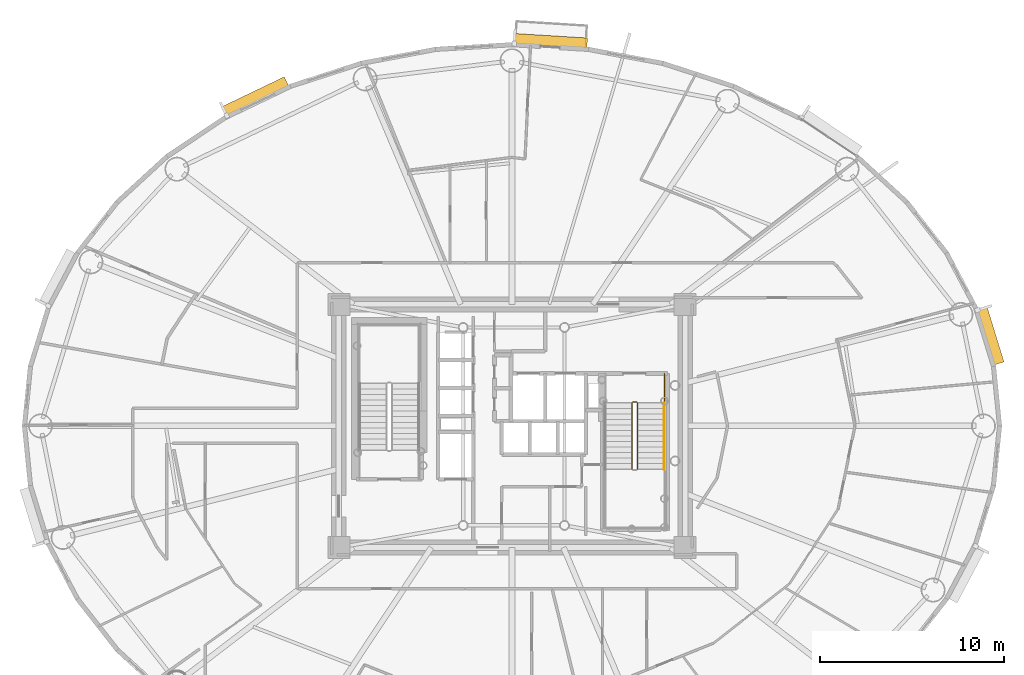
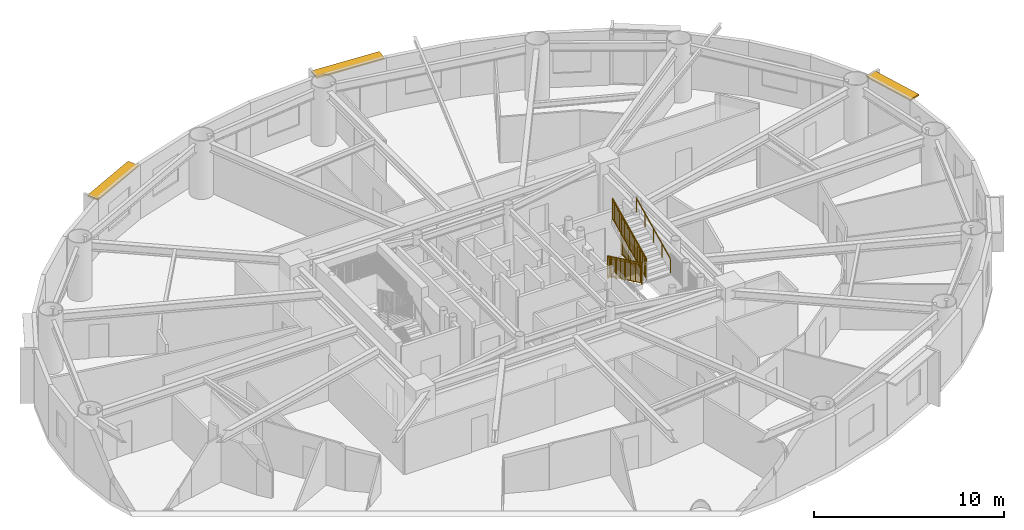
# One storey, part 17 of 18: 5 railings, 3 shading devices.
"""IFC4 building model written with IfcOpenShell, lengths in metres."""

from ifc_helpers import new_model, si_unit, direction, frame, origin, origin_2d, place, context, subcontext, project, spatial, rectangle, extrude, source, transform, mapped, material, layer, layer_set, type_object, element, save


model = new_model("IFC4")

# Units and contexts
model_context = context("Model", 3, precision=1e-05, world=origin(), true_north=direction((0.0, 1.0)))
body_context = subcontext(model_context, "Body", "Model", "MODEL_VIEW")
ifc_project = project(units=[si_unit("LENGTHUNIT", "METRE"), si_unit("AREAUNIT", "SQUARE_METRE"), si_unit("VOLUMEUNIT", "CUBIC_METRE"), si_unit("PLANEANGLEUNIT", "RADIAN"), si_unit("MASSUNIT", "GRAM", prefix="KILO")], contexts=[model_context])

# Site, building, storey
site_placement = place(None, origin())
site = spatial("IfcSite", under=ifc_project, at=site_placement, CompositionType="ELEMENT")
building_placement = place(site_placement, origin())
building = spatial("IfcBuilding", under=site, at=building_placement, Name="Linh Dai School and Residence Tower", CompositionType="ELEMENT")
storey_placement = place(building_placement, frame((0.0, 0.0, 186.14990234375)))
storey = spatial("IfcBuildingStorey", under=building, at=storey_placement, Name="L45", CompositionType="ELEMENT", Elevation=186.14990234375)

# Shading devices
ifc_material_1 = material(Name="Terracotta Ceramic Sunshade", Category="masonry")
ifc_layer = layer(ifc_material_1, 0.10009765625)
ifc_layer_set = layer_set([ifc_layer], Name="Terracotta Ceramic Sunshade")
shading_device_type = type_object("IfcShadingDeviceType", Name="SHD-TC-650", PredefinedType="USERDEFINED", material=ifc_layer_set)
shared_shape_1 = source(origin(), body_context, "Body", "SweptSolid", [
    extrude(rectangle(XDim=3.168212890625, YDim=0.64990234375, at=origin_2d()), origin(), (0.0, 0.0, 1.0), 0.10009765625),
])
shading_device_1_placement = place(storey_placement, frame((61.938720703125, 31.894775390625, 3.380126953125), z_axis=(0.0, 0.0, 1.0), x_axis=(0.293121969301, -0.956075055167, 0.0)))
element("IfcShadingDevice", 1, at=shading_device_1_placement, inside=storey, type_object=shading_device_type, Name="L45 Terracotta Horizontal Sunshade Band 02", ObjectType="SUNSHADE", PredefinedType="USERDEFINED", context=body_context, shape_type="MappedRepresentation", body=[
    mapped(shared_shape_1, transform((0.0, 0.0, 0.0), x_axis=(1.0, 0.0, 0.0), y_axis=(0.0, 1.0, 0.0), z_axis=(0.0, 0.0, 1.0), scale=1.0)),
])
shared_shape_2 = source(origin(), body_context, "Body", "SweptSolid", [
    extrude(rectangle(XDim=3.987548828125, YDim=0.64990234375, at=origin_2d()), origin(), (0.0, 0.0, 1.0), 0.10009765625),
])
shading_device_2_placement = place(storey_placement, frame((38.09033203125, 47.86181640625, 3.380126953125), z_axis=(0.0, 0.0, 1.0), x_axis=(0.99810632076, -0.061512376467, 0.0)))
element("IfcShadingDevice", 2, at=shading_device_2_placement, inside=storey, type_object=shading_device_type, Name="L45 Terracotta Horizontal Sunshade Band 10", ObjectType="SUNSHADE", PredefinedType="USERDEFINED", context=body_context, shape_type="MappedRepresentation", body=[
    mapped(shared_shape_2, transform((0.0, 0.0, 0.0), x_axis=(1.0, 0.0, 0.0), y_axis=(0.0, 1.0, 0.0), z_axis=(0.0, 0.0, 1.0), scale=1.0)),
])
shared_shape_3 = source(origin(), body_context, "Body", "SweptSolid", [
    extrude(rectangle(XDim=3.773193359375, YDim=0.64990234375, at=origin_2d()), origin(), (0.0, 0.0, 1.0), 0.10009765625),
])
shading_device_3_placement = place(storey_placement, frame((22.0751953125, 44.850341796875, 3.380126953125), z_axis=(0.0, 0.0, 1.0), x_axis=(0.901569306779, 0.432634701653, 0.0)))
element("IfcShadingDevice", 3, at=shading_device_3_placement, inside=storey, type_object=shading_device_type, Name="L45 Terracotta Horizontal Sunshade Band 14", ObjectType="SUNSHADE", PredefinedType="USERDEFINED", context=body_context, shape_type="MappedRepresentation", body=[
    mapped(shared_shape_3, transform((0.0, 0.0, 0.0), x_axis=(1.0, 0.0, 0.0), y_axis=(0.0, 1.0, 0.0), z_axis=(0.0, 0.0, 1.0), scale=1.0)),
])

# Railings
ifc_material_2 = material(Name="Structural Steel S355JR", Category="steel")
railing_type_1 = type_object("IfcRailingType", Name="RL-ST-GUARD-1400", PredefinedType="GUARDRAIL", material=ifc_material_2)
shared_shape_4 = source(origin(), body_context, "Body", "SweptSolid", [
    extrude(rectangle(XDim=0.048095703125, YDim=0.048095703125, at=origin_2d()), frame((0.0, 0.0, 1.3759765625), z_axis=(0.0, 0.901262522062, 0.433273431364), x_axis=(-1.0, 0.0, 0.0)), (0.0, 0.0, 1.0), 3.994384765625),
    extrude(rectangle(XDim=0.048095703125, YDim=0.048095703125, at=origin_2d()), frame((0.0, 0.0, 0.10009765625), z_axis=(0.0, 0.901262522062, 0.433273431364), x_axis=(-1.0, 0.0, 0.0)), (0.0, 0.0, 1.0), 3.994384765625),
    extrude(rectangle(XDim=0.030029296875, YDim=0.030029296875, at=origin_2d()), frame((0.0, 0.0, 1.239990234375), z_axis=(0.0, 0.901262522062, 0.433273431364), x_axis=(-1.0, 0.0, 0.0)), (0.0, 0.0, 1.0), 3.994384765625),
    extrude(rectangle(XDim=0.02001953125, YDim=0.02001953125, at=origin_2d()), frame((0.0, 0.087890625, 0.142333984375)), (0.0, 0.0, 1.0), 1.251708984375),
    extrude(rectangle(XDim=0.02001953125, YDim=0.02001953125, at=origin_2d()), frame((0.0, 0.175537109375, 0.1845703125)), (0.0, 0.0, 1.0), 1.251708984375),
    extrude(rectangle(XDim=0.02001953125, YDim=0.02001953125, at=origin_2d()), frame((0.0, 0.263427734375, 0.226806640625)), (0.0, 0.0, 1.0), 1.251708984375),
    extrude(rectangle(XDim=0.02001953125, YDim=0.02001953125, at=origin_2d()), frame((0.0, 0.351318359375, 0.26904296875)), (0.0, 0.0, 1.0), 1.251708984375),
    extrude(rectangle(XDim=0.02001953125, YDim=0.02001953125, at=origin_2d()), frame((0.0, 0.43896484375, 0.311279296875)), (0.0, 0.0, 1.0), 1.251708984375),
    extrude(rectangle(XDim=0.02001953125, YDim=0.02001953125, at=origin_2d()), frame((0.0, 0.52685546875, 0.353271484375)), (0.0, 0.0, 1.0), 1.251708984375),
    extrude(rectangle(XDim=0.02001953125, YDim=0.02001953125, at=origin_2d()), frame((0.0, 0.61474609375, 0.3955078125)), (0.0, 0.0, 1.0), 1.251708984375),
    extrude(rectangle(XDim=0.02001953125, YDim=0.02001953125, at=origin_2d()), frame((0.0, 0.702392578125, 0.437744140625)), (0.0, 0.0, 1.0), 1.251708984375),
    extrude(rectangle(XDim=0.02001953125, YDim=0.02001953125, at=origin_2d()), frame((0.0, 0.790283203125, 0.47998046875)), (0.0, 0.0, 1.0), 1.251708984375),
    extrude(rectangle(XDim=0.02001953125, YDim=0.02001953125, at=origin_2d()), frame((0.0, 0.9658203125, 0.564453125)), (0.0, 0.0, 1.0), 1.251708984375),
    extrude(rectangle(XDim=0.02001953125, YDim=0.02001953125, at=origin_2d()), frame((0.0, 1.0537109375, 0.606689453125)), (0.0, 0.0, 1.0), 1.251708984375),
    extrude(rectangle(XDim=0.02001953125, YDim=0.02001953125, at=origin_2d()), frame((0.0, 1.1416015625, 0.64892578125)), (0.0, 0.0, 1.0), 1.251708984375),
    extrude(rectangle(XDim=0.02001953125, YDim=0.02001953125, at=origin_2d()), frame((0.0, 1.229248046875, 0.691162109375)), (0.0, 0.0, 1.0), 1.251708984375),
    extrude(rectangle(XDim=0.02001953125, YDim=0.02001953125, at=origin_2d()), frame((0.0, 1.317138671875, 0.7333984375)), (0.0, 0.0, 1.0), 1.251708984375),
    extrude(rectangle(XDim=0.02001953125, YDim=0.02001953125, at=origin_2d()), frame((0.0, 1.405029296875, 0.775390625)), (0.0, 0.0, 1.0), 1.251708984375),
    extrude(rectangle(XDim=0.02001953125, YDim=0.02001953125, at=origin_2d()), frame((0.0, 1.49267578125, 0.817626953125)), (0.0, 0.0, 1.0), 1.251708984375),
    extrude(rectangle(XDim=0.02001953125, YDim=0.02001953125, at=origin_2d()), frame((0.0, 1.58056640625, 0.85986328125)), (0.0, 0.0, 1.0), 1.251708984375),
    extrude(rectangle(XDim=0.02001953125, YDim=0.02001953125, at=origin_2d()), frame((0.0, 1.66845703125, 0.902099609375)), (0.0, 0.0, 1.0), 1.251708984375),
    extrude(rectangle(XDim=0.02001953125, YDim=0.02001953125, at=origin_2d()), frame((0.0, 1.756103515625, 0.9443359375)), (0.0, 0.0, 1.0), 1.251708984375),
    extrude(rectangle(XDim=0.02001953125, YDim=0.02001953125, at=origin_2d()), frame((0.0, 1.843994140625, 0.986572265625)), (0.0, 0.0, 1.0), 1.251708984375),
    extrude(rectangle(XDim=0.02001953125, YDim=0.02001953125, at=origin_2d()), frame((0.0, 1.931640625, 1.02880859375)), (0.0, 0.0, 1.0), 1.251708984375),
    extrude(rectangle(XDim=0.02001953125, YDim=0.02001953125, at=origin_2d()), frame((0.0, 2.01953125, 1.071044921875)), (0.0, 0.0, 1.0), 1.251708984375),
    extrude(rectangle(XDim=0.02001953125, YDim=0.02001953125, at=origin_2d()), frame((0.0, 2.107421875, 1.11328125)), (0.0, 0.0, 1.0), 1.251708984375),
    extrude(rectangle(XDim=0.02001953125, YDim=0.02001953125, at=origin_2d()), frame((0.0, 2.195068359375, 1.155517578125)), (0.0, 0.0, 1.0), 1.251708984375),
    extrude(rectangle(XDim=0.02001953125, YDim=0.02001953125, at=origin_2d()), frame((0.0, 2.282958984375, 1.197509765625)), (0.0, 0.0, 1.0), 1.251708984375),
    extrude(rectangle(XDim=0.02001953125, YDim=0.02001953125, at=origin_2d()), frame((0.0, 2.370849609375, 1.23974609375)), (0.0, 0.0, 1.0), 1.251708984375),
    extrude(rectangle(XDim=0.02001953125, YDim=0.02001953125, at=origin_2d()), frame((0.0, 2.45849609375, 1.281982421875)), (0.0, 0.0, 1.0), 1.251708984375),
    extrude(rectangle(XDim=0.02001953125, YDim=0.02001953125, at=origin_2d()), frame((0.0, 2.54638671875, 1.32421875)), (0.0, 0.0, 1.0), 1.251708984375),
    extrude(rectangle(XDim=0.02001953125, YDim=0.02001953125, at=origin_2d()), frame((0.0, 2.63427734375, 1.366455078125)), (0.0, 0.0, 1.0), 1.251708984375),
    extrude(rectangle(XDim=0.02001953125, YDim=0.02001953125, at=origin_2d()), frame((0.0, 2.809814453125, 1.450927734375)), (0.0, 0.0, 1.0), 1.251708984375),
    extrude(rectangle(XDim=0.02001953125, YDim=0.02001953125, at=origin_2d()), frame((0.0, 2.897705078125, 1.4931640625)), (0.0, 0.0, 1.0), 1.251708984375),
    extrude(rectangle(XDim=0.02001953125, YDim=0.02001953125, at=origin_2d()), frame((0.0, 2.9853515625, 1.535400390625)), (0.0, 0.0, 1.0), 1.251708984375),
    extrude(rectangle(XDim=0.02001953125, YDim=0.02001953125, at=origin_2d()), frame((0.0, 3.0732421875, 1.57763671875)), (0.0, 0.0, 1.0), 1.251708984375),
    extrude(rectangle(XDim=0.02001953125, YDim=0.02001953125, at=origin_2d()), frame((0.0, 3.1611328125, 1.61962890625)), (0.0, 0.0, 1.0), 1.251708984375),
    extrude(rectangle(XDim=0.02001953125, YDim=0.02001953125, at=origin_2d()), frame((0.0, 3.248779296875, 1.661865234375)), (0.0, 0.0, 1.0), 1.251708984375),
    extrude(rectangle(XDim=0.02001953125, YDim=0.02001953125, at=origin_2d()), frame((0.0, 3.336669921875, 1.7041015625)), (0.0, 0.0, 1.0), 1.251708984375),
    extrude(rectangle(XDim=0.02001953125, YDim=0.02001953125, at=origin_2d()), frame((0.0, 3.424560546875, 1.746337890625)), (0.0, 0.0, 1.0), 1.251708984375),
    extrude(rectangle(XDim=0.02001953125, YDim=0.02001953125, at=origin_2d()), frame((0.0, 3.51220703125, 1.78857421875)), (0.0, 0.0, 1.0), 1.251708984375),
    extrude(rectangle(XDim=0.0419921875, YDim=0.0419921875, at=origin_2d()), origin(), (0.0, 0.0, 1.0), 1.3759765625),
    extrude(rectangle(XDim=0.0419921875, YDim=0.0419921875, at=origin_2d()), frame((0.0, 0.89990234375, 0.4326171875)), (0.0, 0.0, 1.0), 1.3759765625),
    extrude(rectangle(XDim=0.0419921875, YDim=0.0419921875, at=origin_2d()), frame((0.0, 1.800048828125, 0.865234375)), (0.0, 0.0, 1.0), 1.3759765625),
    extrude(rectangle(XDim=0.0419921875, YDim=0.0419921875, at=origin_2d()), frame((0.0, 2.7001953125, 1.298095703125)), (0.0, 0.0, 1.0), 1.3759765625),
    extrude(rectangle(XDim=0.0419921875, YDim=0.0419921875, at=origin_2d()), frame((0.0, 3.60009765625, 1.730712890625)), (0.0, 0.0, 1.0), 1.3759765625),
])
railing_1_placement = place(storey_placement, frame((42.820068359375, 24.64990234375, 2.019287109375)))
element("IfcRailing", 4, at=railing_1_placement, inside=storey, type_object=railing_type_1, Name="L45 ST2 stair guard 6", PredefinedType="GUARDRAIL", context=body_context, shape_type="MappedRepresentation", body=[
    mapped(shared_shape_4, transform((0.0, 0.0, 0.0), x_axis=(1.0, 0.0, 0.0), y_axis=(0.0, 1.0, 0.0), z_axis=(0.0, 0.0, 1.0), scale=1.0)),
])
shared_shape_5 = source(origin(), body_context, "Body", "SweptSolid", [
    extrude(rectangle(XDim=0.048095703125, YDim=0.048095703125, at=origin_2d()), frame((0.0, 0.0, 1.3759765625), z_axis=(0.0, -0.901262522062, 0.433273431364), x_axis=(1.0, 0.0, 0.0)), (0.0, 0.0, 1.0), 3.994384765625),
    extrude(rectangle(XDim=0.048095703125, YDim=0.048095703125, at=origin_2d()), frame((0.0, 0.0, 0.10009765625), z_axis=(0.0, -0.901262522062, 0.433273431364), x_axis=(1.0, 0.0, 0.0)), (0.0, 0.0, 1.0), 3.994384765625),
    extrude(rectangle(XDim=0.030029296875, YDim=0.030029296875, at=origin_2d()), frame((0.0, 0.0, 1.239990234375), z_axis=(0.0, -0.901262522062, 0.433273431364), x_axis=(1.0, 0.0, 0.0)), (0.0, 0.0, 1.0), 3.994384765625),
    extrude(rectangle(XDim=0.02001953125, YDim=0.02001953125, at=origin_2d()), frame((0.0, -0.087890625, 0.142333984375)), (0.0, 0.0, 1.0), 1.251708984375),
    extrude(rectangle(XDim=0.02001953125, YDim=0.02001953125, at=origin_2d()), frame((0.0, -0.175537109375, 0.1845703125)), (0.0, 0.0, 1.0), 1.251708984375),
    extrude(rectangle(XDim=0.02001953125, YDim=0.02001953125, at=origin_2d()), frame((0.0, -0.263427734375, 0.226806640625)), (0.0, 0.0, 1.0), 1.251708984375),
    extrude(rectangle(XDim=0.02001953125, YDim=0.02001953125, at=origin_2d()), frame((0.0, -0.351318359375, 0.26904296875)), (0.0, 0.0, 1.0), 1.251708984375),
    extrude(rectangle(XDim=0.02001953125, YDim=0.02001953125, at=origin_2d()), frame((0.0, -0.43896484375, 0.311279296875)), (0.0, 0.0, 1.0), 1.251708984375),
    extrude(rectangle(XDim=0.02001953125, YDim=0.02001953125, at=origin_2d()), frame((0.0, -0.52685546875, 0.353271484375)), (0.0, 0.0, 1.0), 1.251708984375),
    extrude(rectangle(XDim=0.02001953125, YDim=0.02001953125, at=origin_2d()), frame((0.0, -0.61474609375, 0.3955078125)), (0.0, 0.0, 1.0), 1.251708984375),
    extrude(rectangle(XDim=0.02001953125, YDim=0.02001953125, at=origin_2d()), frame((0.0, -0.702392578125, 0.437744140625)), (0.0, 0.0, 1.0), 1.251708984375),
    extrude(rectangle(XDim=0.02001953125, YDim=0.02001953125, at=origin_2d()), frame((0.0, -0.790283203125, 0.47998046875)), (0.0, 0.0, 1.0), 1.251708984375),
    extrude(rectangle(XDim=0.02001953125, YDim=0.02001953125, at=origin_2d()), frame((0.0, -0.9658203125, 0.564453125)), (0.0, 0.0, 1.0), 1.251708984375),
    extrude(rectangle(XDim=0.02001953125, YDim=0.02001953125, at=origin_2d()), frame((0.0, -1.0537109375, 0.606689453125)), (0.0, 0.0, 1.0), 1.251708984375),
    extrude(rectangle(XDim=0.02001953125, YDim=0.02001953125, at=origin_2d()), frame((0.0, -1.1416015625, 0.64892578125)), (0.0, 0.0, 1.0), 1.251708984375),
    extrude(rectangle(XDim=0.02001953125, YDim=0.02001953125, at=origin_2d()), frame((0.0, -1.229248046875, 0.691162109375)), (0.0, 0.0, 1.0), 1.251708984375),
    extrude(rectangle(XDim=0.02001953125, YDim=0.02001953125, at=origin_2d()), frame((0.0, -1.317138671875, 0.7333984375)), (0.0, 0.0, 1.0), 1.251708984375),
    extrude(rectangle(XDim=0.02001953125, YDim=0.02001953125, at=origin_2d()), frame((0.0, -1.405029296875, 0.775390625)), (0.0, 0.0, 1.0), 1.251708984375),
    extrude(rectangle(XDim=0.02001953125, YDim=0.02001953125, at=origin_2d()), frame((0.0, -1.49267578125, 0.817626953125)), (0.0, 0.0, 1.0), 1.251708984375),
    extrude(rectangle(XDim=0.02001953125, YDim=0.02001953125, at=origin_2d()), frame((0.0, -1.58056640625, 0.85986328125)), (0.0, 0.0, 1.0), 1.251708984375),
    extrude(rectangle(XDim=0.02001953125, YDim=0.02001953125, at=origin_2d()), frame((0.0, -1.66845703125, 0.902099609375)), (0.0, 0.0, 1.0), 1.251708984375),
    extrude(rectangle(XDim=0.02001953125, YDim=0.02001953125, at=origin_2d()), frame((0.0, -1.756103515625, 0.9443359375)), (0.0, 0.0, 1.0), 1.251708984375),
    extrude(rectangle(XDim=0.02001953125, YDim=0.02001953125, at=origin_2d()), frame((0.0, -1.843994140625, 0.986572265625)), (0.0, 0.0, 1.0), 1.251708984375),
    extrude(rectangle(XDim=0.02001953125, YDim=0.02001953125, at=origin_2d()), frame((0.0, -1.931640625, 1.02880859375)), (0.0, 0.0, 1.0), 1.251708984375),
    extrude(rectangle(XDim=0.02001953125, YDim=0.02001953125, at=origin_2d()), frame((0.0, -2.01953125, 1.071044921875)), (0.0, 0.0, 1.0), 1.251708984375),
    extrude(rectangle(XDim=0.02001953125, YDim=0.02001953125, at=origin_2d()), frame((0.0, -2.107421875, 1.11328125)), (0.0, 0.0, 1.0), 1.251708984375),
    extrude(rectangle(XDim=0.02001953125, YDim=0.02001953125, at=origin_2d()), frame((0.0, -2.195068359375, 1.155517578125)), (0.0, 0.0, 1.0), 1.251708984375),
    extrude(rectangle(XDim=0.02001953125, YDim=0.02001953125, at=origin_2d()), frame((0.0, -2.282958984375, 1.197509765625)), (0.0, 0.0, 1.0), 1.251708984375),
    extrude(rectangle(XDim=0.02001953125, YDim=0.02001953125, at=origin_2d()), frame((0.0, -2.370849609375, 1.23974609375)), (0.0, 0.0, 1.0), 1.251708984375),
    extrude(rectangle(XDim=0.02001953125, YDim=0.02001953125, at=origin_2d()), frame((0.0, -2.45849609375, 1.281982421875)), (0.0, 0.0, 1.0), 1.251708984375),
    extrude(rectangle(XDim=0.02001953125, YDim=0.02001953125, at=origin_2d()), frame((0.0, -2.54638671875, 1.32421875)), (0.0, 0.0, 1.0), 1.251708984375),
    extrude(rectangle(XDim=0.02001953125, YDim=0.02001953125, at=origin_2d()), frame((0.0, -2.63427734375, 1.366455078125)), (0.0, 0.0, 1.0), 1.251708984375),
    extrude(rectangle(XDim=0.02001953125, YDim=0.02001953125, at=origin_2d()), frame((0.0, -2.809814453125, 1.450927734375)), (0.0, 0.0, 1.0), 1.251708984375),
    extrude(rectangle(XDim=0.02001953125, YDim=0.02001953125, at=origin_2d()), frame((0.0, -2.897705078125, 1.4931640625)), (0.0, 0.0, 1.0), 1.251708984375),
    extrude(rectangle(XDim=0.02001953125, YDim=0.02001953125, at=origin_2d()), frame((0.0, -2.9853515625, 1.535400390625)), (0.0, 0.0, 1.0), 1.251708984375),
    extrude(rectangle(XDim=0.02001953125, YDim=0.02001953125, at=origin_2d()), frame((0.0, -3.0732421875, 1.57763671875)), (0.0, 0.0, 1.0), 1.251708984375),
    extrude(rectangle(XDim=0.02001953125, YDim=0.02001953125, at=origin_2d()), frame((0.0, -3.1611328125, 1.61962890625)), (0.0, 0.0, 1.0), 1.251708984375),
    extrude(rectangle(XDim=0.02001953125, YDim=0.02001953125, at=origin_2d()), frame((0.0, -3.248779296875, 1.661865234375)), (0.0, 0.0, 1.0), 1.251708984375),
    extrude(rectangle(XDim=0.02001953125, YDim=0.02001953125, at=origin_2d()), frame((0.0, -3.336669921875, 1.7041015625)), (0.0, 0.0, 1.0), 1.251708984375),
    extrude(rectangle(XDim=0.02001953125, YDim=0.02001953125, at=origin_2d()), frame((0.0, -3.424560546875, 1.746337890625)), (0.0, 0.0, 1.0), 1.251708984375),
    extrude(rectangle(XDim=0.02001953125, YDim=0.02001953125, at=origin_2d()), frame((0.0, -3.51220703125, 1.78857421875)), (0.0, 0.0, 1.0), 1.251708984375),
    extrude(rectangle(XDim=0.0419921875, YDim=0.0419921875, at=origin_2d()), origin(), (0.0, 0.0, 1.0), 1.3759765625),
    extrude(rectangle(XDim=0.0419921875, YDim=0.0419921875, at=origin_2d()), frame((0.0, -0.89990234375, 0.4326171875)), (0.0, 0.0, 1.0), 1.3759765625),
    extrude(rectangle(XDim=0.0419921875, YDim=0.0419921875, at=origin_2d()), frame((0.0, -1.800048828125, 0.865234375)), (0.0, 0.0, 1.0), 1.3759765625),
    extrude(rectangle(XDim=0.0419921875, YDim=0.0419921875, at=origin_2d()), frame((0.0, -2.7001953125, 1.298095703125)), (0.0, 0.0, 1.0), 1.3759765625),
    extrude(rectangle(XDim=0.0419921875, YDim=0.0419921875, at=origin_2d()), frame((0.0, -3.60009765625, 1.730712890625)), (0.0, 0.0, 1.0), 1.3759765625),
])
railing_2_placement = place(storey_placement, frame((42.52001953125, 28.25, 0.144287109375)))
element("IfcRailing", 5, at=railing_2_placement, inside=storey, type_object=railing_type_1, Name="L45 ST2 stair guard 1", PredefinedType="GUARDRAIL", context=body_context, shape_type="MappedRepresentation", body=[
    mapped(shared_shape_5, transform((0.0, 0.0, 0.0), x_axis=(1.0, 0.0, 0.0), y_axis=(0.0, 1.0, 0.0), z_axis=(0.0, 0.0, 1.0), scale=1.0)),
])
ifc_material_3 = material(Name="Brushed Stainless Steel Handrail", Category="steel")
railing_type_2 = type_object("IfcRailingType", Name="RL-ST-HANDRAIL-900", PredefinedType="HANDRAIL", material=ifc_material_3)
shared_shape_6 = source(origin(), body_context, "Body", "SweptSolid", [
    extrude(rectangle(XDim=0.048095703125, YDim=0.048095703125, at=origin_2d()), frame((0.0, 0.0, 0.8759765625), z_axis=(0.0, 0.901262522062, 0.433273431364), x_axis=(-1.0, 0.0, 0.0)), (0.0, 0.0, 1.0), 3.994384765625),
    extrude(rectangle(XDim=0.0419921875, YDim=0.0419921875, at=origin_2d()), origin(), (0.0, 0.0, 1.0), 0.8759765625),
    extrude(rectangle(XDim=0.0419921875, YDim=0.0419921875, at=origin_2d()), frame((0.0, 0.89990234375, 0.4326171875)), (0.0, 0.0, 1.0), 0.8759765625),
    extrude(rectangle(XDim=0.0419921875, YDim=0.0419921875, at=origin_2d()), frame((0.0, 1.800048828125, 0.865234375)), (0.0, 0.0, 1.0), 0.8759765625),
    extrude(rectangle(XDim=0.0419921875, YDim=0.0419921875, at=origin_2d()), frame((0.0, 2.7001953125, 1.298095703125)), (0.0, 0.0, 1.0), 0.8759765625),
    extrude(rectangle(XDim=0.0419921875, YDim=0.0419921875, at=origin_2d()), frame((0.0, 3.60009765625, 1.730712890625)), (0.0, 0.0, 1.0), 0.8759765625),
])
railing_3_placement = place(storey_placement, frame((44.27001953125, 24.64990234375, 2.019287109375)))
element("IfcRailing", 6, at=railing_3_placement, inside=storey, type_object=railing_type_2, Name="L45 ST2 stair handrail 2", PredefinedType="HANDRAIL", context=body_context, shape_type="MappedRepresentation", body=[
    mapped(shared_shape_6, transform((0.0, 0.0, 0.0), x_axis=(1.0, 0.0, 0.0), y_axis=(0.0, 1.0, 0.0), z_axis=(0.0, 0.0, 1.0), scale=1.0)),
])
shared_shape_7 = source(origin(), body_context, "Body", "SweptSolid", [
    extrude(rectangle(XDim=0.048095703125, YDim=0.048095703125, at=origin_2d()), frame((0.0, 0.0, 1.3759765625), z_axis=(1.0, 0.0, 0.0), x_axis=(0.0, 1.0, 0.0)), (0.0, 0.0, 1.0), 0.199951171875),
    extrude(rectangle(XDim=0.048095703125, YDim=0.048095703125, at=origin_2d()), frame((0.0, 0.0, 0.10009765625), z_axis=(1.0, 0.0, 0.0), x_axis=(0.0, 1.0, 0.0)), (0.0, 0.0, 1.0), 0.199951171875),
    extrude(rectangle(XDim=0.030029296875, YDim=0.030029296875, at=origin_2d()), frame((0.0, 0.0, 1.239990234375), z_axis=(1.0, 0.0, 0.0), x_axis=(0.0, 1.0, 0.0)), (0.0, 0.0, 1.0), 0.199951171875),
    extrude(rectangle(XDim=0.0419921875, YDim=0.0419921875, at=origin_2d()), origin(), (0.0, 0.0, 1.0), 1.3759765625),
    extrude(rectangle(XDim=0.0419921875, YDim=0.0419921875, at=origin_2d()), frame((0.199951171875, 0.0, 0.0)), (0.0, 0.0, 1.0), 1.3759765625),
])
railing_4_placement = place(storey_placement, frame((42.570068359375, 28.300048828125, 0.0)))
element("IfcRailing", 7, at=railing_4_placement, inside=storey, type_object=railing_type_1, Name="L45 ST2 stair guard 7", PredefinedType="GUARDRAIL", context=body_context, shape_type="MappedRepresentation", body=[
    mapped(shared_shape_7, transform((0.0, 0.0, 0.0), x_axis=(1.0, 0.0, 0.0), y_axis=(0.0, 1.0, 0.0), z_axis=(0.0, 0.0, 1.0), scale=1.0)),
])
shared_shape_8 = source(origin(), body_context, "Body", "SweptSolid", [
    extrude(rectangle(XDim=0.048095703125, YDim=0.048095703125, at=origin_2d()), frame((0.0, 0.0, 1.3759765625), z_axis=(0.0, -1.0, 0.0), x_axis=(1.0, 0.0, 0.0)), (0.0, 0.0, 1.0), 1.60009765625),
    extrude(rectangle(XDim=0.048095703125, YDim=0.048095703125, at=origin_2d()), frame((0.0, 0.0, 0.10009765625), z_axis=(0.0, -1.0, 0.0), x_axis=(1.0, 0.0, 0.0)), (0.0, 0.0, 1.0), 1.60009765625),
    extrude(rectangle(XDim=0.030029296875, YDim=0.030029296875, at=origin_2d()), frame((0.0, 0.0, 1.239990234375), z_axis=(0.0, -1.0, 0.0), x_axis=(1.0, 0.0, 0.0)), (0.0, 0.0, 1.0), 1.60009765625),
    extrude(rectangle(XDim=0.02001953125, YDim=0.02001953125, at=origin_2d()), frame((0.0, -0.09423828125, 0.10009765625)), (0.0, 0.0, 1.0), 1.251708984375),
    extrude(rectangle(XDim=0.02001953125, YDim=0.02001953125, at=origin_2d()), frame((0.0, -0.188232421875, 0.10009765625)), (0.0, 0.0, 1.0), 1.251708984375),
    extrude(rectangle(XDim=0.02001953125, YDim=0.02001953125, at=origin_2d()), frame((0.0, -0.282470703125, 0.10009765625)), (0.0, 0.0, 1.0), 1.251708984375),
    extrude(rectangle(XDim=0.02001953125, YDim=0.02001953125, at=origin_2d()), frame((0.0, -0.37646484375, 0.10009765625)), (0.0, 0.0, 1.0), 1.251708984375),
    extrude(rectangle(XDim=0.02001953125, YDim=0.02001953125, at=origin_2d()), frame((0.0, -0.470703125, 0.10009765625)), (0.0, 0.0, 1.0), 1.251708984375),
    extrude(rectangle(XDim=0.02001953125, YDim=0.02001953125, at=origin_2d()), frame((0.0, -0.564697265625, 0.10009765625)), (0.0, 0.0, 1.0), 1.251708984375),
    extrude(rectangle(XDim=0.02001953125, YDim=0.02001953125, at=origin_2d()), frame((0.0, -0.658935546875, 0.10009765625)), (0.0, 0.0, 1.0), 1.251708984375),
    extrude(rectangle(XDim=0.02001953125, YDim=0.02001953125, at=origin_2d()), frame((0.0, -0.7529296875, 0.10009765625)), (0.0, 0.0, 1.0), 1.251708984375),
    extrude(rectangle(XDim=0.02001953125, YDim=0.02001953125, at=origin_2d()), frame((0.0, -0.84716796875, 0.10009765625)), (0.0, 0.0, 1.0), 1.251708984375),
    extrude(rectangle(XDim=0.02001953125, YDim=0.02001953125, at=origin_2d()), frame((0.0, -0.941162109375, 0.10009765625)), (0.0, 0.0, 1.0), 1.251708984375),
    extrude(rectangle(XDim=0.02001953125, YDim=0.02001953125, at=origin_2d()), frame((0.0, -1.035400390625, 0.10009765625)), (0.0, 0.0, 1.0), 1.251708984375),
    extrude(rectangle(XDim=0.02001953125, YDim=0.02001953125, at=origin_2d()), frame((0.0, -1.12939453125, 0.10009765625)), (0.0, 0.0, 1.0), 1.251708984375),
    extrude(rectangle(XDim=0.02001953125, YDim=0.02001953125, at=origin_2d()), frame((0.0, -1.2236328125, 0.10009765625)), (0.0, 0.0, 1.0), 1.251708984375),
    extrude(rectangle(XDim=0.02001953125, YDim=0.02001953125, at=origin_2d()), frame((0.0, -1.317626953125, 0.10009765625)), (0.0, 0.0, 1.0), 1.251708984375),
    extrude(rectangle(XDim=0.02001953125, YDim=0.02001953125, at=origin_2d()), frame((0.0, -1.411865234375, 0.10009765625)), (0.0, 0.0, 1.0), 1.251708984375),
    extrude(rectangle(XDim=0.02001953125, YDim=0.02001953125, at=origin_2d()), frame((0.0, -1.505859375, 0.10009765625)), (0.0, 0.0, 1.0), 1.251708984375),
    extrude(rectangle(XDim=0.0419921875, YDim=0.0419921875, at=origin_2d()), origin(), (0.0, 0.0, 1.0), 1.3759765625),
    extrude(rectangle(XDim=0.0419921875, YDim=0.0419921875, at=origin_2d()), frame((0.0, -0.800048828125, 0.0)), (0.0, 0.0, 1.0), 1.3759765625),
    extrude(rectangle(XDim=0.0419921875, YDim=0.0419921875, at=origin_2d()), frame((0.0, -1.60009765625, 0.0)), (0.0, 0.0, 1.0), 1.3759765625),
])
railing_5_placement = place(storey_placement, frame((44.27001953125, 29.85009765625, 0.0)))
element("IfcRailing", 8, at=railing_5_placement, inside=storey, type_object=railing_type_1, Name="L45 ST2 stair guard 9", PredefinedType="GUARDRAIL", context=body_context, shape_type="MappedRepresentation", body=[
    mapped(shared_shape_8, transform((0.0, 0.0, 0.0), x_axis=(1.0, 0.0, 0.0), y_axis=(0.0, 1.0, 0.0), z_axis=(0.0, 0.0, 1.0), scale=1.0)),
])

save(model, "model.ifc")
